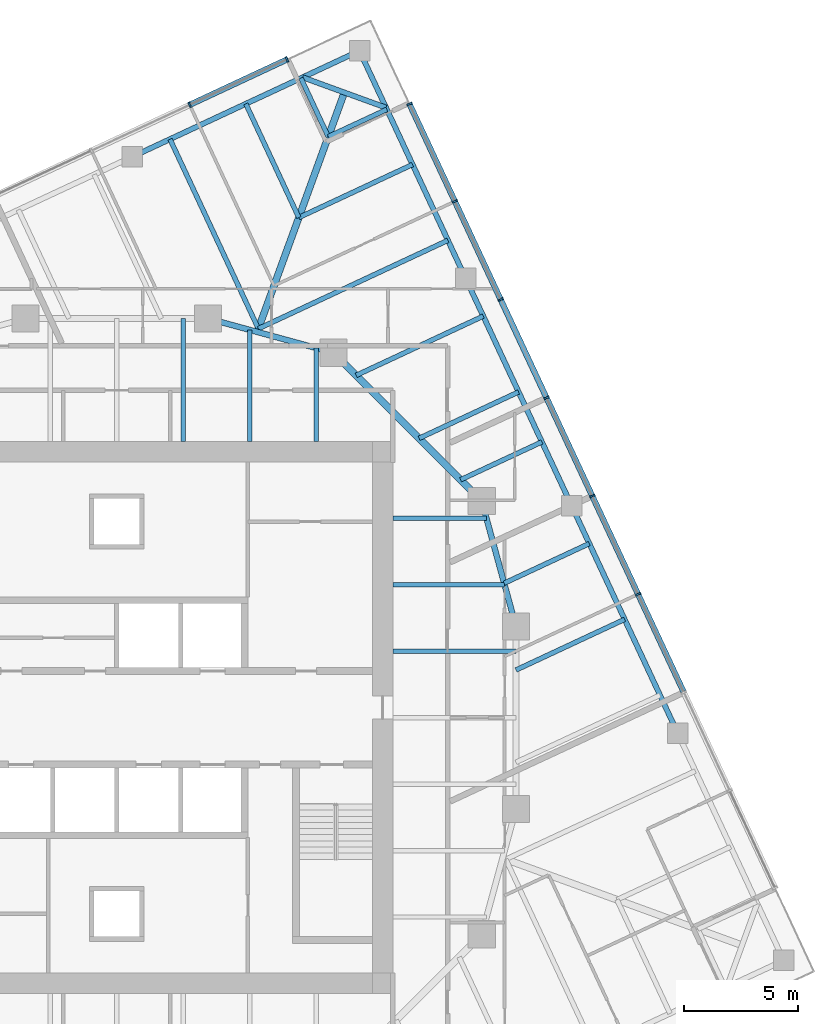
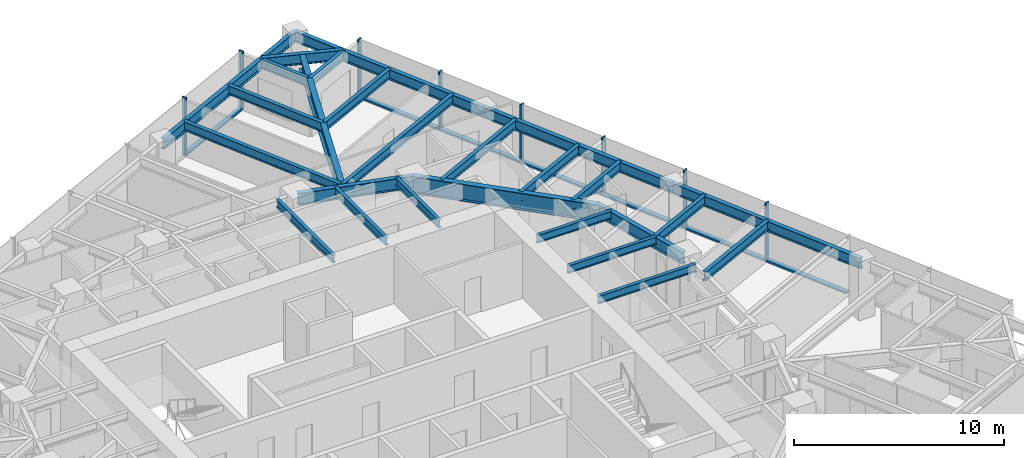
# One storey, part 5 of 13: 26 beams, 15 members, 2 elements without a shape of their own.
"""IFC4 building model written with IfcOpenShell, lengths in metres."""

from ifc_helpers import new_model, si_unit, direction, frame, origin, origin_2d, place, context, subcontext, project, spatial, rectangle, i_section, extrude, material, material_profile, profile_set, type_object, element, aggregate, save


model = new_model("IFC4")

# Units and contexts
model_context = context("Model", 3, precision=1e-05, world=origin(), true_north=direction((0.0, 1.0)))
body_context = subcontext(model_context, "Body", "Model", "MODEL_VIEW")
ifc_project = project(units=[si_unit("LENGTHUNIT", "METRE"), si_unit("AREAUNIT", "SQUARE_METRE"), si_unit("VOLUMEUNIT", "CUBIC_METRE"), si_unit("PLANEANGLEUNIT", "RADIAN"), si_unit("MASSUNIT", "GRAM", prefix="KILO")], contexts=[model_context])

# Site, building, storey
site_placement = place(None, origin())
site = spatial("IfcSite", under=ifc_project, at=site_placement, CompositionType="ELEMENT")
building_placement = place(site_placement, origin())
building = spatial("IfcBuilding", under=site, at=building_placement, Name="Torsade Residences", CompositionType="ELEMENT")
storey_placement = place(building_placement, frame((0.0, 0.0, 179.39990234375)))
storey = spatial("IfcBuildingStorey", under=building, at=storey_placement, Name="L49", CompositionType="ELEMENT", Elevation=179.39990234375)

# Beams
ifc_material_1 = material(Name="Steel grade 300", Category="steel")
ifc_material_profile_1 = material_profile(ifc_material_1, i_section(OverallWidth=0.300048828125, OverallDepth=0.89990234375, WebThickness=0.011962890625, FlangeThickness=0.02490234375, at=origin_2d()), Name="900WB175")
ifc_profile_set_1 = profile_set([ifc_material_profile_1], Name="Steel grade 300")
beam_type_1 = type_object("IfcBeamType", Name="CORNER GIRDER 900WB175", PredefinedType="BEAM", material=ifc_profile_set_1)
beam_1_placement = place(storey_placement, frame((49.97607421875, 57.4091796875, 2.800048828125), z_axis=(-0.342015044723, -0.93969447651, 0.0), x_axis=(0.93969447651, -0.342015044723, 0.0)))
element("IfcBeam", 1, at=beam_1_placement, inside=storey, type_object=beam_type_1, Name="Corner girder 09 L50", PredefinedType="BEAM", context=body_context, shape_type="SweptSolid", body=[
    extrude(i_section(OverallWidth=0.300048828125, OverallDepth=0.89990234375, WebThickness=0.011962890625, FlangeThickness=0.02490234375, at=origin_2d()), origin(), (0.0, 0.0, 1.0), 11.170654296875),
])
ifc_material_2 = material(Name="Steel grade 300", Category="steel")
ifc_material_profile_2 = material_profile(ifc_material_2, i_section(OverallWidth=0.22802734375, OverallDepth=0.60205078125, WebThickness=0.010498046875, FlangeThickness=0.014892578125, FilletRadius=0.013916015625, at=origin_2d()), Name="610UB101")
ifc_profile_set_2 = profile_set([ifc_material_profile_2], Name="Steel grade 300")
beam_type_2 = type_object("IfcBeamType", Name="CORNER TRIMMER 610UB101", PredefinedType="BEAM", material=ifc_profile_set_2)
beam_2_placement = place(storey_placement, frame((48.14892578125, 58.07421875, 2.94921875), z_axis=(0.939698076972, -0.342005152204, 0.0), x_axis=(0.342005152204, 0.939698076972, 0.0)))
element("IfcBeam", 2, at=beam_2_placement, inside=storey, type_object=beam_type_2, Name="Corner trimmer 09 L50", PredefinedType="BEAM", context=body_context, shape_type="SweptSolid", body=[
    extrude(i_section(OverallWidth=0.22802734375, OverallDepth=0.60205078125, WebThickness=0.010498046875, FlangeThickness=0.014892578125, FilletRadius=0.013916015625, at=origin_2d()), origin(), (0.0, 0.0, 1.0), 3.88916015625),
])
ifc_material_3 = material(Name="Steel grade 300", Category="steel")
ifc_material_profile_3 = material_profile(ifc_material_3, i_section(OverallWidth=0.22900390625, OverallDepth=0.612060546875, WebThickness=0.011962890625, FlangeThickness=0.01953125, FilletRadius=0.013916015625, at=origin_2d()), Name="610UB125")
ifc_profile_set_3 = profile_set([ifc_material_profile_3], Name="Steel grade 300")
beam_type_3 = type_object("IfcBeamType", Name="EDGE BEAM 610UB125", PredefinedType="SPANDREL", material=ifc_profile_set_3)
beam_3_placement = place(storey_placement, frame((64.587646484375, 29.328125, 2.944091796875), z_axis=(-0.422624219007, 0.906305009094, 0.0), x_axis=(-0.906305009094, -0.422624219007, 0.0)))
element("IfcBeam", 3, at=beam_3_placement, inside=storey, type_object=beam_type_3, Name="Edge beam 06 L50", PredefinedType="SPANDREL", context=body_context, shape_type="SweptSolid", body=[
    extrude(i_section(OverallWidth=0.22900390625, OverallDepth=0.612060546875, WebThickness=0.011962890625, FlangeThickness=0.01953125, FilletRadius=0.013916015625, at=origin_2d()), origin(), (0.0, 0.0, 1.0), 11.000244140625),
])
for number, where, z_axis, x_axis, name in (
    (4, (59.938720703125, 39.297607421875, 2.944091796875), (-0.422605988587, 0.906313510001, 0.0), (-0.906313510001, -0.422605988587, 0.0), "Edge beam 07 L50"),
    (5, (55.2900390625, 49.26708984375, 2.944091796875), (-0.422632720171, 0.90630104482, 0.0), (-0.90630104482, -0.422632720171, 0.0), "Edge beam 08 L50"),
):
    element("IfcBeam", number, at=place(storey_placement, frame(where, z_axis=z_axis, x_axis=x_axis)), inside=storey, type_object=beam_type_3, Name=name, PredefinedType="SPANDREL", context=body_context, shape_type="SweptSolid", body=[
        extrude(i_section(OverallWidth=0.22900390625, OverallDepth=0.612060546875, WebThickness=0.011962890625, FlangeThickness=0.01953125, FilletRadius=0.013916015625, at=origin_2d()), origin(), (0.0, 0.0, 1.0), 11.0),
    ])
beam_4_placement = place(storey_placement, frame((50.64111328125, 59.236328125, 2.944091796875), z_axis=(-0.906309546032, -0.422614489543, 0.0), x_axis=(0.422614489543, -0.906309546032, 0.0)))
element("IfcBeam", 6, at=beam_4_placement, inside=storey, type_object=beam_type_3, Name="Edge beam 09 L50", PredefinedType="SPANDREL", context=body_context, shape_type="SweptSolid", body=[
    extrude(i_section(OverallWidth=0.22900390625, OverallDepth=0.612060546875, WebThickness=0.011962890625, FlangeThickness=0.01953125, FilletRadius=0.013916015625, at=origin_2d()), origin(), (0.0, 0.0, 1.0), 10.999755859375),
])
ifc_material_4 = material(Name="Steel grade 300", Category="steel")
ifc_material_profile_4 = material_profile(ifc_material_4, i_section(OverallWidth=0.18994140625, OverallDepth=0.4541015625, WebThickness=0.008544921875, FlangeThickness=0.0126953125, FilletRadius=0.011474609375, at=origin_2d()), Name="460UB67.1")
ifc_profile_set_4 = profile_set([ifc_material_profile_4], Name="Steel grade 300")
beam_type_4 = type_object("IfcBeamType", Name="INNER FLOOR BEAM 460UB67.1", PredefinedType="JOIST", material=ifc_profile_set_4)
beam_5_placement = place(storey_placement, frame((42.91259765625, 42.10009765625, 3.023193359375), z_axis=(0.0, 1.0, 0.0), x_axis=(-1.0, 0.0, 0.0)))
element("IfcBeam", 7, at=beam_5_placement, inside=storey, type_object=beam_type_4, Name="Inner floor beam IN05 L50", PredefinedType="JOIST", context=body_context, shape_type="SweptSolid", body=[
    extrude(i_section(OverallWidth=0.18994140625, OverallDepth=0.4541015625, WebThickness=0.008544921875, FlangeThickness=0.0126953125, FilletRadius=0.011474609375, at=origin_2d()), origin(), (0.0, 0.0, 1.0), 5.39990234375),
])
beam_6_placement = place(storey_placement, frame((45.824951171875, 42.10009765625, 3.023193359375), z_axis=(0.0, 1.0, 0.0), x_axis=(-1.0, 0.0, 0.0)))
element("IfcBeam", 8, at=beam_6_placement, inside=storey, type_object=beam_type_4, Name="Inner floor beam IN06 L50", PredefinedType="JOIST", context=body_context, shape_type="SweptSolid", body=[
    extrude(i_section(OverallWidth=0.18994140625, OverallDepth=0.4541015625, WebThickness=0.008544921875, FlangeThickness=0.0126953125, FilletRadius=0.011474609375, at=origin_2d()), origin(), (0.0, 0.0, 1.0), 4.902099609375),
])
beam_7_placement = place(storey_placement, frame((48.737548828125, 42.10009765625, 3.023193359375), z_axis=(0.0, 1.0, 0.0), x_axis=(-1.0, 0.0, 0.0)))
element("IfcBeam", 9, at=beam_7_placement, inside=storey, type_object=beam_type_4, Name="Inner floor beam IN07 L50", PredefinedType="JOIST", context=body_context, shape_type="SweptSolid", body=[
    extrude(i_section(OverallWidth=0.18994140625, OverallDepth=0.4541015625, WebThickness=0.008544921875, FlangeThickness=0.0126953125, FilletRadius=0.011474609375, at=origin_2d()), origin(), (0.0, 0.0, 1.0), 4.10791015625),
])
beam_8_placement = place(storey_placement, frame((52.10009765625, 32.91259765625, 3.023193359375), z_axis=(1.0, 0.0, 0.0), x_axis=(0.0, 1.0, 0.0)))
element("IfcBeam", 10, at=beam_8_placement, inside=storey, type_object=beam_type_4, Name="Inner floor beam IE05 L50", PredefinedType="JOIST", context=body_context, shape_type="SweptSolid", body=[
    extrude(i_section(OverallWidth=0.18994140625, OverallDepth=0.4541015625, WebThickness=0.008544921875, FlangeThickness=0.0126953125, FilletRadius=0.011474609375, at=origin_2d()), origin(), (0.0, 0.0, 1.0), 5.39990234375),
])
beam_9_placement = place(storey_placement, frame((52.10009765625, 35.824951171875, 3.023193359375), z_axis=(1.0, 0.0, 0.0), x_axis=(0.0, 1.0, 0.0)))
element("IfcBeam", 11, at=beam_9_placement, inside=storey, type_object=beam_type_4, Name="Inner floor beam IE06 L50", PredefinedType="JOIST", context=body_context, shape_type="SweptSolid", body=[
    extrude(i_section(OverallWidth=0.18994140625, OverallDepth=0.4541015625, WebThickness=0.008544921875, FlangeThickness=0.0126953125, FilletRadius=0.011474609375, at=origin_2d()), origin(), (0.0, 0.0, 1.0), 4.902099609375),
])
beam_10_placement = place(storey_placement, frame((52.10009765625, 38.737548828125, 3.023193359375), z_axis=(1.0, 0.0, 0.0), x_axis=(0.0, 1.0, 0.0)))
element("IfcBeam", 12, at=beam_10_placement, inside=storey, type_object=beam_type_4, Name="Inner floor beam IE07 L50", PredefinedType="JOIST", context=body_context, shape_type="SweptSolid", body=[
    extrude(i_section(OverallWidth=0.18994140625, OverallDepth=0.4541015625, WebThickness=0.008544921875, FlangeThickness=0.0126953125, FilletRadius=0.011474609375, at=origin_2d()), origin(), (0.0, 0.0, 1.0), 4.10791015625),
])

# Curtain wall, members
ifc_material_5 = material(Name="Aluminium and glass", Category="aluminium")
curtain_wall_type = type_object("IfcCurtainWallType", Name="FRITTED GLASS CURTAIN WALL MID ZONE", PredefinedType="NOTDEFINED", material=ifc_material_5)
curtain_wall_1_placement = place(storey_placement, origin())
curtain_wall_1 = element("IfcCurtainWall", 13, at=curtain_wall_1_placement, inside=storey, type_object=curtain_wall_type, Name="Curtain wall L49 face 4", PredefinedType="NOTDEFINED")
ifc_material_6 = material(Name="Aluminium mullion", Category="aluminium")
ifc_material_profile_5 = material_profile(ifc_material_6, rectangle(XDim=0.25, YDim=0.080078125, at=origin_2d()), Name="MID ZONE CURTAIN WALL MULLION 250x80")
ifc_profile_set_5 = profile_set([ifc_material_profile_5], Name="Aluminium mullion")
member_type_1 = type_object("IfcMemberType", Name="MID ZONE CURTAIN WALL MULLION 250x80", PredefinedType="MULLION", material=ifc_profile_set_5)
member_1_placement = place(storey_placement, frame((62.8525390625, 35.415283203125, 0.0), z_axis=(0.0, 0.0, 1.0), x_axis=(-0.906307786926, -0.422618261978, 0.0)))
member_1 = element("IfcMember", 14, at=member_1_placement, type_object=member_type_1, Name="Mullion 4", PredefinedType="MULLION", context=body_context, shape_type="SweptSolid", body=[
    extrude(rectangle(XDim=0.25, YDim=0.080078125, at=origin_2d()), origin(), (0.0, 0.0, 1.0), 3.400146484375),
])
member_2_placement = place(storey_placement, frame((60.844970703125, 39.72021484375, 0.0), z_axis=(0.0, 0.0, 1.0), x_axis=(-0.906307786926, -0.422618261978, 0.0)))
member_2 = element("IfcMember", 15, at=member_2_placement, type_object=member_type_1, Name="Mullion 5", PredefinedType="MULLION", context=body_context, shape_type="SweptSolid", body=[
    extrude(rectangle(XDim=0.25, YDim=0.080078125, at=origin_2d()), origin(), (0.0, 0.0, 1.0), 3.400146484375),
])
member_3_placement = place(storey_placement, frame((58.837646484375, 44.025146484375, 0.0), z_axis=(0.0, 0.0, 1.0), x_axis=(-0.906307786926, -0.422618261978, 0.0)))
member_3 = element("IfcMember", 16, at=member_3_placement, type_object=member_type_1, Name="Mullion 6", PredefinedType="MULLION", context=body_context, shape_type="SweptSolid", body=[
    extrude(rectangle(XDim=0.25, YDim=0.080078125, at=origin_2d()), origin(), (0.0, 0.0, 1.0), 3.400146484375),
])
member_4_placement = place(storey_placement, frame((56.830322265625, 48.330078125, 0.0), z_axis=(0.0, 0.0, 1.0), x_axis=(-0.906307786926, -0.422618261978, 0.0)))
member_4 = element("IfcMember", 17, at=member_4_placement, type_object=member_type_1, Name="Mullion 7", PredefinedType="MULLION", context=body_context, shape_type="SweptSolid", body=[
    extrude(rectangle(XDim=0.25, YDim=0.080078125, at=origin_2d()), origin(), (0.0, 0.0, 1.0), 3.400146484375),
])
member_5_placement = place(storey_placement, frame((54.82275390625, 52.635009765625, 0.0), z_axis=(0.0, 0.0, 1.0), x_axis=(-0.906307786926, -0.422618261978, 0.0)))
member_5 = element("IfcMember", 18, at=member_5_placement, type_object=member_type_1, Name="Mullion 8", PredefinedType="MULLION", context=body_context, shape_type="SweptSolid", body=[
    extrude(rectangle(XDim=0.25, YDim=0.080078125, at=origin_2d()), origin(), (0.0, 0.0, 1.0), 3.400146484375),
])
member_6_placement = place(storey_placement, frame((52.832275390625, 56.90380859375, 0.0), z_axis=(0.0, 0.0, 1.0), x_axis=(-0.906307786926, -0.422618261978, 0.0)))
member_6 = element("IfcMember", 19, at=member_6_placement, type_object=member_type_1, Name="Mullion 9", PredefinedType="MULLION", context=body_context, shape_type="SweptSolid", body=[
    extrude(rectangle(XDim=0.25, YDim=0.080078125, at=origin_2d()), origin(), (0.0, 0.0, 1.0), 3.400146484375),
])

curtain_wall_2_placement = place(storey_placement, origin())
curtain_wall_2 = element("IfcCurtainWall", 20, at=curtain_wall_2_placement, inside=storey, type_object=curtain_wall_type, Name="Curtain wall L49 face 7", PredefinedType="NOTDEFINED")
member_7_placement = place(storey_placement, frame((47.46337890625, 58.85791015625, 0.0), z_axis=(0.0, 0.0, 1.0), x_axis=(0.422618261978, -0.906307786926, 0.0)))
member_7 = element("IfcMember", 21, at=member_7_placement, type_object=member_type_1, Name="Mullion 1", PredefinedType="MULLION", context=body_context, shape_type="SweptSolid", body=[
    extrude(rectangle(XDim=0.25, YDim=0.080078125, at=origin_2d()), origin(), (0.0, 0.0, 1.0), 3.400146484375),
])
member_8_placement = place(storey_placement, frame((43.194580078125, 56.867431640625, 0.0), z_axis=(0.0, 0.0, 1.0), x_axis=(0.422618261978, -0.906307786926, 0.0)))
member_8 = element("IfcMember", 22, at=member_8_placement, type_object=member_type_1, Name="Mullion 2", PredefinedType="MULLION", context=body_context, shape_type="SweptSolid", body=[
    extrude(rectangle(XDim=0.25, YDim=0.080078125, at=origin_2d()), origin(), (0.0, 0.0, 1.0), 3.400146484375),
])

# Member
ifc_material_7 = material(Name="Aluminium transom", Category="aluminium")
ifc_material_profile_6 = material_profile(ifc_material_7, rectangle(XDim=0.25, YDim=0.110107421875, at=origin_2d()), Name="MID ZONE CURTAIN WALL TRANSOM 250x110")
ifc_profile_set_6 = profile_set([ifc_material_profile_6], Name="Aluminium transom")
member_type_2 = type_object("IfcMemberType", Name="MID ZONE CURTAIN WALL TRANSOM 250x110", PredefinedType="USERDEFINED", material=ifc_profile_set_6)
member_9_placement = place(storey_placement, frame((64.843017578125, 31.146484375, 0.05517578125), z_axis=(-0.422622145291, 0.906305976097, 0.0), x_axis=(-0.906305976097, -0.422622145291, 0.0)))
member_9 = element("IfcMember", 23, at=member_9_placement, type_object=member_type_2, Name="Transom 3.1", ObjectType="TRANSOM", PredefinedType="USERDEFINED", context=body_context, shape_type="SweptSolid", body=[
    extrude(rectangle(XDim=0.25, YDim=0.110107421875, at=origin_2d()), origin(), (0.0, 0.0, 1.0), 4.669921875),
])

member_10_placement = place(storey_placement, frame((62.835693359375, 35.451416015625, 0.05517578125), z_axis=(-0.422602122035, 0.90631531293, 0.0), x_axis=(-0.90631531293, -0.422602122035, 0.0)))
member_10 = element("IfcMember", 24, at=member_10_placement, type_object=member_type_2, Name="Transom 4.1", ObjectType="TRANSOM", PredefinedType="USERDEFINED", context=body_context, shape_type="SweptSolid", body=[
    extrude(rectangle(XDim=0.25, YDim=0.110107421875, at=origin_2d()), origin(), (0.0, 0.0, 1.0), 4.670166015625),
])

member_11_placement = place(storey_placement, frame((60.828125, 39.756591796875, 0.05517578125), z_axis=(-0.422622145291, 0.906305976097, 0.0), x_axis=(-0.906305976097, -0.422622145291, 0.0)))
member_11 = element("IfcMember", 25, at=member_11_placement, type_object=member_type_2, Name="Transom 5.1", ObjectType="TRANSOM", PredefinedType="USERDEFINED", context=body_context, shape_type="SweptSolid", body=[
    extrude(rectangle(XDim=0.25, YDim=0.110107421875, at=origin_2d()), origin(), (0.0, 0.0, 1.0), 4.669921875),
])

member_12_placement = place(storey_placement, frame((58.82080078125, 44.0615234375, 0.05517578125), z_axis=(-0.422622145291, 0.906305976097, 0.0), x_axis=(-0.906305976097, -0.422622145291, 0.0)))
member_12 = element("IfcMember", 26, at=member_12_placement, type_object=member_type_2, Name="Transom 6.1", ObjectType="TRANSOM", PredefinedType="USERDEFINED", context=body_context, shape_type="SweptSolid", body=[
    extrude(rectangle(XDim=0.25, YDim=0.110107421875, at=origin_2d()), origin(), (0.0, 0.0, 1.0), 4.669921875),
])

member_13_placement = place(storey_placement, frame((56.813232421875, 48.366455078125, 0.05517578125), z_axis=(-0.422622145291, 0.906305976097, 0.0), x_axis=(-0.906305976097, -0.422622145291, 0.0)))
member_13 = element("IfcMember", 27, at=member_13_placement, type_object=member_type_2, Name="Transom 7.1", ObjectType="TRANSOM", PredefinedType="USERDEFINED", context=body_context, shape_type="SweptSolid", body=[
    extrude(rectangle(XDim=0.25, YDim=0.110107421875, at=origin_2d()), origin(), (0.0, 0.0, 1.0), 4.669921875),
])

member_14_placement = place(storey_placement, frame((54.805908203125, 52.67138671875, 0.05517578125), z_axis=(-0.422622764878, 0.906305687176, 0.0), x_axis=(-0.906305687176, -0.422622764878, 0.0)))
member_14 = element("IfcMember", 28, at=member_14_placement, type_object=member_type_2, Name="Transom 8.1", ObjectType="TRANSOM", PredefinedType="USERDEFINED", context=body_context, shape_type="SweptSolid", body=[
    extrude(rectangle(XDim=0.25, YDim=0.110107421875, at=origin_2d()), origin(), (0.0, 0.0, 1.0), 4.630126953125),
])

aggregate(curtain_wall_1, [member_1, member_2, member_3, member_4, member_5, member_6, member_9, member_10, member_11, member_12, member_13, member_14])

member_15_placement = place(storey_placement, frame((47.427001953125, 58.841064453125, 0.05517578125), z_axis=(-0.906296268578, -0.422642962277, 0.0), x_axis=(0.422642962277, -0.906296268578, 0.0)))
member_15 = element("IfcMember", 29, at=member_15_placement, type_object=member_type_2, Name="Transom 1.1", ObjectType="TRANSOM", PredefinedType="USERDEFINED", context=body_context, shape_type="SweptSolid", body=[
    extrude(rectangle(XDim=0.25, YDim=0.110107421875, at=origin_2d()), origin(), (0.0, 0.0, 1.0), 4.6298828125),
])

aggregate(curtain_wall_2, [member_7, member_8, member_15])

# Beams
ifc_material_8 = material(Name="Steel grade 300", Category="steel")
ifc_material_profile_7 = material_profile(ifc_material_8, i_section(OverallWidth=0.300048828125, OverallDepth=1.0, WebThickness=0.01611328125, FlangeThickness=0.028076171875, at=origin_2d()), Name="1000WB215")
ifc_profile_set_7 = profile_set([ifc_material_profile_7], Name="Steel grade 300")
beam_type_5 = type_object("IfcBeamType", Name="RING CORNER GIRDER 1000WB215", PredefinedType="BEAM", material=ifc_profile_set_7)
beam_11_placement = place(storey_placement, frame((56.0, 39.5, 2.75), z_axis=(-0.707106781187, 0.707106781187, 0.0), x_axis=(-0.707106781187, -0.707106781187, 0.0)))
element("IfcBeam", 30, at=beam_11_placement, inside=storey, type_object=beam_type_5, Name="Ring girder IR03 L50", PredefinedType="BEAM", context=body_context, shape_type="SweptSolid", body=[
    extrude(i_section(OverallWidth=0.300048828125, OverallDepth=1.0, WebThickness=0.01611328125, FlangeThickness=0.028076171875, at=origin_2d()), origin(), (0.0, 0.0, 1.0), 9.1923828125),
])
ifc_material_9 = material(Name="Steel grade 300", Category="steel")
ifc_material_profile_8 = material_profile(ifc_material_9, i_section(OverallWidth=0.25, OverallDepth=0.699951171875, WebThickness=0.010009765625, FlangeThickness=0.02001953125, at=origin_2d()), Name="700WB130")
ifc_profile_set_8 = profile_set([ifc_material_profile_8], Name="Steel grade 300")
beam_type_6 = type_object("IfcBeamType", Name="RING GIRDER 700WB130", PredefinedType="BEAM", material=ifc_profile_set_8)
for number, where, z_axis, x_axis, name in (
    (31, (57.5, 34.0, 2.900146484375), (-0.263117405792, 0.964763821238, 0.0), (-0.964763821238, -0.263117405792, 0.0), "Ring girder IR02 L50"),
    (32, (49.5, 46.0, 2.900146484375), (-0.964763821238, 0.263117405792, 0.0), (-0.263117405792, -0.964763821238, 0.0), "Ring girder IR04 L50"),
):
    element("IfcBeam", number, at=place(storey_placement, frame(where, z_axis=z_axis, x_axis=x_axis)), inside=storey, type_object=beam_type_6, Name=name, PredefinedType="BEAM", context=body_context, shape_type="SweptSolid", body=[
        extrude(i_section(OverallWidth=0.25, OverallDepth=0.699951171875, WebThickness=0.010009765625, FlangeThickness=0.02001953125, at=origin_2d()), origin(), (0.0, 0.0, 1.0), 5.700927734375),
    ])
ifc_material_10 = material(Name="Steel grade 300", Category="steel")
ifc_material_profile_9 = material_profile(ifc_material_10, i_section(OverallWidth=0.208984375, OverallDepth=0.528076171875, WebThickness=0.009521484375, FlangeThickness=0.01318359375, FilletRadius=0.013916015625, at=origin_2d()), Name="530UB82.0")
ifc_profile_set_9 = profile_set([ifc_material_profile_9], Name="Steel grade 300")
beam_type_7 = type_object("IfcBeamType", Name="SECONDARY BEAM 530UB82.0", PredefinedType="JOIST", material=ifc_profile_set_9)
beam_12_placement = place(storey_placement, frame((62.26318359375, 34.31298828125, 2.986083984375), z_axis=(-0.90630178035, -0.422631142882, 0.0), x_axis=(0.422631142882, -0.90630178035, 0.0)))
element("IfcBeam", 33, at=beam_12_placement, inside=storey, type_object=beam_type_7, Name="Floor beam FE05 L50", PredefinedType="JOIST", context=body_context, shape_type="SweptSolid", body=[
    extrude(i_section(OverallWidth=0.208984375, OverallDepth=0.528076171875, WebThickness=0.009521484375, FlangeThickness=0.01318359375, FilletRadius=0.013916015625, at=origin_2d()), origin(), (0.0, 0.0, 1.0), 5.255615234375),
])
beam_13_placement = place(storey_placement, frame((60.713623046875, 37.635986328125, 2.986083984375), z_axis=(-0.906299775267, -0.422635442612, 0.0), x_axis=(0.422635442612, -0.906299775267, 0.0)))
element("IfcBeam", 34, at=beam_13_placement, inside=storey, type_object=beam_type_7, Name="Floor beam FE06 L50", PredefinedType="JOIST", context=body_context, shape_type="SweptSolid", body=[
    extrude(i_section(OverallWidth=0.208984375, OverallDepth=0.528076171875, WebThickness=0.009521484375, FlangeThickness=0.01318359375, FilletRadius=0.013916015625, at=origin_2d()), origin(), (0.0, 0.0, 1.0), 4.116455078125),
])
beam_14_placement = place(storey_placement, frame((58.6357421875, 42.092041015625, 2.986083984375), z_axis=(-0.906295680735, -0.422644222818, 0.0), x_axis=(0.422644222818, -0.906295680735, 0.0)))
element("IfcBeam", 35, at=beam_14_placement, inside=storey, type_object=beam_type_7, Name="Floor beam FE07 L50", PredefinedType="JOIST", context=body_context, shape_type="SweptSolid", body=[
    extrude(i_section(OverallWidth=0.208984375, OverallDepth=0.528076171875, WebThickness=0.009521484375, FlangeThickness=0.01318359375, FilletRadius=0.013916015625, at=origin_2d()), origin(), (0.0, 0.0, 1.0), 3.933837890625),
])
beam_15_placement = place(storey_placement, frame((57.6142578125, 44.2822265625, 2.986083984375), z_axis=(-0.906307500203, -0.422618876857, 0.0), x_axis=(0.422618876857, -0.906307500203, 0.0)))
element("IfcBeam", 36, at=beam_15_placement, inside=storey, type_object=beam_type_7, Name="Floor beam FE08 L50", PredefinedType="JOIST", context=body_context, shape_type="SweptSolid", body=[
    extrude(i_section(OverallWidth=0.208984375, OverallDepth=0.528076171875, WebThickness=0.009521484375, FlangeThickness=0.01318359375, FilletRadius=0.013916015625, at=origin_2d()), origin(), (0.0, 0.0, 1.0), 4.813232421875),
])
beam_16_placement = place(storey_placement, frame((56.064697265625, 47.60546875, 2.986083984375), z_axis=(-0.906293692233, -0.42264848683, 0.0), x_axis=(0.42264848683, -0.906293692233, 0.0)))
element("IfcBeam", 37, at=beam_16_placement, inside=storey, type_object=beam_type_7, Name="Floor beam FE09 L50", PredefinedType="JOIST", context=body_context, shape_type="SweptSolid", body=[
    extrude(i_section(OverallWidth=0.208984375, OverallDepth=0.528076171875, WebThickness=0.009521484375, FlangeThickness=0.01318359375, FilletRadius=0.013916015625, at=origin_2d()), origin(), (0.0, 0.0, 1.0), 6.14794921875),
])
beam_17_placement = place(storey_placement, frame((54.51513671875, 50.928466796875, 2.986083984375), z_axis=(-0.90630761667, -0.422618627092, 0.0), x_axis=(0.422618627092, -0.90630761667, 0.0)))
element("IfcBeam", 38, at=beam_17_placement, inside=storey, type_object=beam_type_7, Name="Floor beam FE10 L50", PredefinedType="JOIST", context=body_context, shape_type="SweptSolid", body=[
    extrude(i_section(OverallWidth=0.208984375, OverallDepth=0.528076171875, WebThickness=0.009521484375, FlangeThickness=0.01318359375, FilletRadius=0.013916015625, at=origin_2d()), origin(), (0.0, 0.0, 1.0), 9.166748046875),
])
beam_18_placement = place(storey_placement, frame((52.965576171875, 54.251708984375, 2.986083984375), z_axis=(-0.90630104482, -0.422632720171, 0.0), x_axis=(0.422632720171, -0.90630104482, 0.0)))
element("IfcBeam", 39, at=beam_18_placement, inside=storey, type_object=beam_type_7, Name="Floor beam FE11 L50", PredefinedType="JOIST", context=body_context, shape_type="SweptSolid", body=[
    extrude(i_section(OverallWidth=0.208984375, OverallDepth=0.528076171875, WebThickness=0.009521484375, FlangeThickness=0.01318359375, FilletRadius=0.013916015625, at=origin_2d()), origin(), (0.0, 0.0, 1.0), 5.5),
])
for number, where, z_axis, x_axis, name in (
    (40, (51.838623046875, 56.66845703125, 2.986083984375), (-0.906328379221, -0.42257409885, 0.0), (0.42257409885, -0.906328379221, 0.0), "Floor beam FE12 L50"),
    (41, (48.0732421875, 58.0390625, 2.986083984375), (0.422644877104, -0.906295375613, 0.0), (0.906295375613, 0.422644877104, 0.0), "Floor beam FN01 L50"),
):
    element("IfcBeam", number, at=place(storey_placement, frame(where, z_axis=z_axis, x_axis=x_axis)), inside=storey, type_object=beam_type_7, Name=name, PredefinedType="JOIST", context=body_context, shape_type="SweptSolid", body=[
        extrude(i_section(OverallWidth=0.208984375, OverallDepth=0.528076171875, WebThickness=0.009521484375, FlangeThickness=0.01318359375, FilletRadius=0.013916015625, at=origin_2d()), origin(), (0.0, 0.0, 1.0), 2.833251953125),
    ])
beam_19_placement = place(storey_placement, frame((45.656494140625, 56.911865234375, 2.986083984375), z_axis=(0.422632720171, -0.90630104482, 0.0), x_axis=(0.90630104482, 0.422632720171, 0.0)))
element("IfcBeam", 42, at=beam_19_placement, inside=storey, type_object=beam_type_7, Name="Floor beam FN02 L50", PredefinedType="JOIST", context=body_context, shape_type="SweptSolid", body=[
    extrude(i_section(OverallWidth=0.208984375, OverallDepth=0.528076171875, WebThickness=0.009521484375, FlangeThickness=0.01318359375, FilletRadius=0.013916015625, at=origin_2d()), origin(), (0.0, 0.0, 1.0), 5.5),
])
beam_20_placement = place(storey_placement, frame((42.333251953125, 55.3623046875, 2.986083984375), z_axis=(0.422618627092, -0.90630761667, 0.0), x_axis=(0.90630761667, 0.422618627092, 0.0)))
element("IfcBeam", 43, at=beam_20_placement, inside=storey, type_object=beam_type_7, Name="Floor beam FN03 L50", PredefinedType="JOIST", context=body_context, shape_type="SweptSolid", body=[
    extrude(i_section(OverallWidth=0.208984375, OverallDepth=0.528076171875, WebThickness=0.009521484375, FlangeThickness=0.01318359375, FilletRadius=0.013916015625, at=origin_2d()), origin(), (0.0, 0.0, 1.0), 9.166748046875),
])

save(model, "model.ifc")
